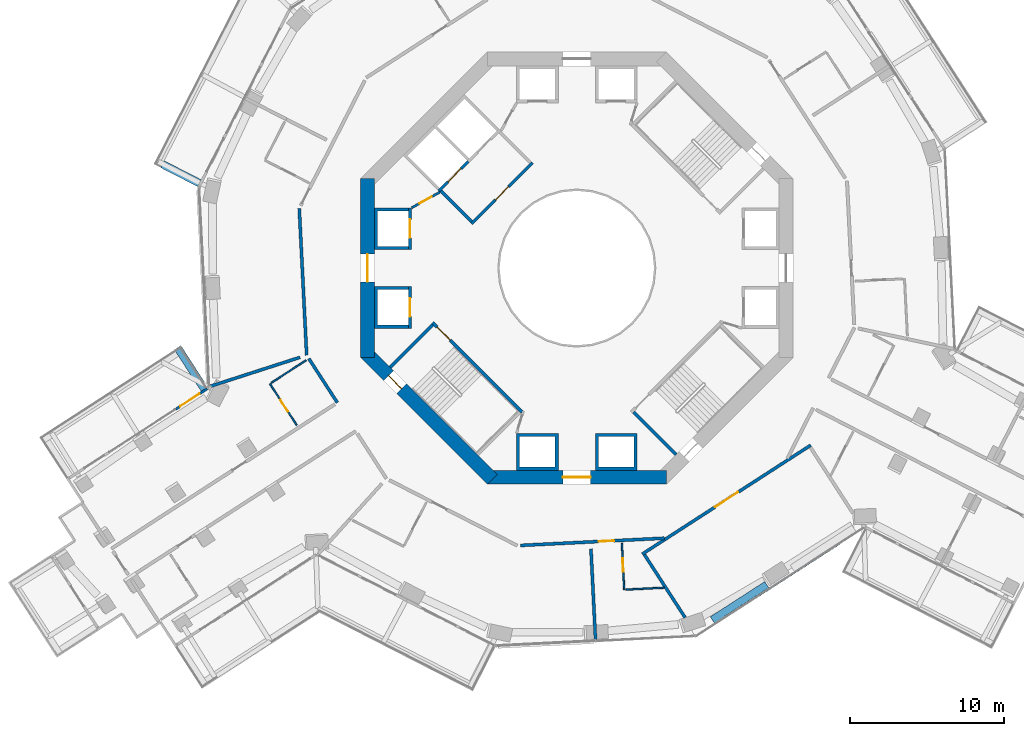
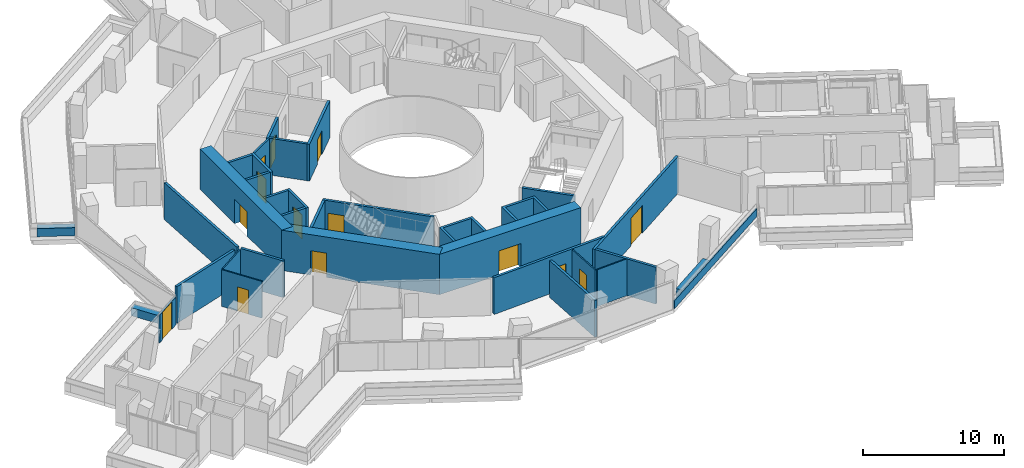
# One storey, part 18 of 25: 32 walls, 14 doors, 14 openings.
"""IFC4 building model written with IfcOpenShell, lengths in metres."""

from ifc_helpers import new_model, si_unit, direction, frame, frame_2d, origin, place, context, subcontext, project, spatial, polyline, rectangle, outline, extrude, material, layer, layer_set, type_object, element, fill, save


model = new_model("IFC4")

# Units and contexts
model_context = context("Model", 3, precision=1e-05, world=origin(), true_north=direction((0.0, 1.0)))
body_context = subcontext(model_context, "Body", "Model", "MODEL_VIEW")
ifc_project = project(units=[si_unit("LENGTHUNIT", "METRE"), si_unit("AREAUNIT", "SQUARE_METRE"), si_unit("VOLUMEUNIT", "CUBIC_METRE"), si_unit("PLANEANGLEUNIT", "RADIAN"), si_unit("MASSUNIT", "GRAM", prefix="KILO")], contexts=[model_context])

# Site, building, storey
site_placement = place(None, origin())
site = spatial("IfcSite", under=ifc_project, at=site_placement, CompositionType="ELEMENT")
building_placement = place(site_placement, origin())
building = spatial("IfcBuilding", under=site, at=building_placement, Name="Verdalira Terraces Hotel", CompositionType="ELEMENT")
storey_placement = place(building_placement, frame((0.0, 0.0, 46.0)))
storey = spatial("IfcBuildingStorey", under=building, at=storey_placement, Name="L09", CompositionType="ELEMENT", Elevation=46.0)

# Walls
ifc_material_1 = material(Name="Concrete C40", Category="concrete")
ifc_layer_1 = layer(ifc_material_1, 0.5)
ifc_layer_set_1 = layer_set([ifc_layer_1], Name="Balcony planter trough with tree")
wall_type_1 = type_object("IfcWallType", Name="Balcony planter trough with tree", PredefinedType="SOLIDWALL", material=ifc_layer_set_1)
wall_1_placement = place(storey_placement, frame((-26.843506, 6.726318, 0.0), z_axis=(0.0, 0.0, 1.0), x_axis=(0.890043365, -0.45587587, 0.0)))
element("IfcWall", 1, at=wall_1_placement, inside=storey, type_object=wall_type_1, Name="Balcony planter", PredefinedType="SOLIDWALL", context=body_context, shape_type="SweptSolid", body=[
    extrude(rectangle(XDim=2.699219, YDim=0.5, at=frame_2d((1.349609, 0.0))), origin(), (0.0, 0.0, 1.0), 0.699951),
])
wall_2_placement = place(storey_placement, frame((-24.111572, -7.845459, 0.0), z_axis=(0.0, 0.0, 1.0), x_axis=(-0.542915814, 0.839787127, 0.0)))
element("IfcWall", 2, at=wall_2_placement, inside=storey, type_object=wall_type_1, Name="Balcony planter", PredefinedType="SOLIDWALL", context=body_context, shape_type="SweptSolid", body=[
    extrude(rectangle(XDim=3.198975, YDim=0.5, at=frame_2d((1.599609, 0.0))), origin(), (0.0, 0.0, 1.0), 0.699951),
])

# Wall, opening, door
ifc_material_2 = material(Name="Moisture-resistant gypsum board partition")
ifc_layer_2 = layer(ifc_material_2, 0.10009765625)
ifc_layer_set_2 = layer_set([ifc_layer_2], Name="Bathroom partition 100 mm")
wall_type_2 = type_object("IfcWallType", Name="Bathroom partition 100 mm", PredefinedType="PARTITIONING", material=ifc_layer_set_2)
wall_3_placement = place(storey_placement, frame((-19.875977, -7.490234, 0.0), z_axis=(0.0, 0.0, 1.0), x_axis=(0.542865261, -0.839819807, 0.0)))
wall_3 = element("IfcWall", 3, at=wall_3_placement, inside=storey, type_object=wall_type_2, Name="Bathroom partition", PredefinedType="PARTITIONING", context=body_context, shape_type="SweptSolid", body=[
    extrude(rectangle(XDim=3.199707, YDim=0.100098, at=frame_2d((1.599854, 0.0))), origin(), (0.0, 0.0, 1.0), 3.189941),
])
opening_1_placement = place(wall_3_placement, frame((1.25, 0.0, 0.0)))
opening_1 = element("IfcOpeningElement", 4, at=opening_1_placement, cuts=wall_3, Name="Opening L09-113", PredefinedType="OPENING", context=body_context, shape_type="SweptSolid", body=[
    extrude(rectangle(XDim=0.899902, YDim=2.100098, at=frame_2d((0.449951, 1.050049))), frame((0.0, 0.060059, 0.0), z_axis=(0.0, -1.0, 0.0), x_axis=(1.0, 0.0, 0.0)), (0.0, 0.0, 1.0), 0.120117),
])
ifc_material_3 = material(Name="Timber door", Category="wood")
door_type_1 = type_object("IfcDoorType", Name="Bathroom door 900 x 2100", OperationType="NOTDEFINED", PredefinedType="DOOR", material=ifc_material_3)
door_1_placement = place(opening_1_placement, origin())
door_1 = element("IfcDoor", 5, at=door_1_placement, inside=storey, type_object=door_type_1, Name="Bathroom door 0906", OperationType="SINGLE_SWING_LEFT", OverallHeight=2.10009765625, OverallWidth=0.89990234375, PredefinedType="DOOR", context=body_context, shape_type="SweptSolid", body=[
    extrude(rectangle(XDim=0.899902, YDim=2.100098, at=frame_2d((0.449951, 1.050049))), frame((0.0, 0.024902, 0.0), z_axis=(0.0, -1.0, 0.0), x_axis=(1.0, 0.0, 0.0)), (0.0, 0.0, 1.0), 0.050049),
])
fill(opening_1, door_1)

# Wall
wall_4_placement = place(storey_placement, frame((-19.791992, -7.435791, 0.0), z_axis=(0.0, 0.0, 1.0), x_axis=(0.839853884, 0.54281254, 0.0)))
element("IfcWall", 6, at=wall_4_placement, inside=storey, type_object=wall_type_2, Name="Bathroom partition", PredefinedType="PARTITIONING", context=body_context, shape_type="SweptSolid", body=[
    extrude(rectangle(XDim=2.699951, YDim=0.100098, at=frame_2d((1.350098, 0.0))), origin(), (0.0, 0.0, 1.0), 3.189941),
])

# Wall, opening, door
wall_5_placement = place(storey_placement, frame((2.918213, -17.834229, 0.0), z_axis=(0.0, 0.0, 1.0), x_axis=(0.050213629, -0.9987385, 0.0)))
wall_5 = element("IfcWall", 7, at=wall_5_placement, inside=storey, type_object=wall_type_2, Name="Bathroom partition", PredefinedType="PARTITIONING", context=body_context, shape_type="SweptSolid", body=[
    extrude(rectangle(XDim=3.0, YDim=0.100098, at=frame_2d((1.5, 0.0))), origin(), (0.0, 0.0, 1.0), 3.189941),
])
opening_2_placement = place(wall_5_placement, frame((0.949951, 0.0, 0.0)))
opening_2 = element("IfcOpeningElement", 8, at=opening_2_placement, cuts=wall_5, Name="Opening L09-120", PredefinedType="OPENING", context=body_context, shape_type="SweptSolid", body=[
    extrude(rectangle(XDim=0.899902, YDim=2.100098, at=frame_2d((0.449951, 1.050049))), frame((0.0, 0.060059, 0.0), z_axis=(0.0, -1.0, 0.0), x_axis=(1.0, 0.0, 0.0)), (0.0, 0.0, 1.0), 0.120117),
])
door_2_placement = place(opening_2_placement, origin())
door_2 = element("IfcDoor", 9, at=door_2_placement, inside=storey, type_object=door_type_1, Name="Bathroom door 0910", OperationType="SINGLE_SWING_RIGHT", OverallHeight=2.10009765625, OverallWidth=0.89990234375, PredefinedType="DOOR", context=body_context, shape_type="SweptSolid", body=[
    extrude(rectangle(XDim=0.899902, YDim=2.100098, at=frame_2d((0.449951, 1.050049))), frame((0.0, 0.024902, 0.0), z_axis=(0.0, -1.0, 0.0), x_axis=(1.0, 0.0, 0.0)), (0.0, 0.0, 1.0), 0.050049),
])
fill(opening_2, door_2)

# Walls
wall_6_placement = place(storey_placement, frame((5.662109, -20.699951, 0.0), z_axis=(0.0, 0.0, 1.0), x_axis=(-0.998735946, -0.050264396, 0.0)))
element("IfcWall", 10, at=wall_6_placement, inside=storey, type_object=wall_type_2, Name="Bathroom partition", PredefinedType="PARTITIONING", context=body_context, shape_type="SweptSolid", body=[
    extrude(rectangle(XDim=2.496582, YDim=0.100098, at=frame_2d((1.248291, 0.0))), origin(), (0.0, 0.0, 1.0), 3.189941),
])
ifc_material_4 = material(Name="Concrete C50", Category="concrete")
ifc_layer_3 = layer(ifc_material_4, 0.199951171875)
ifc_layer_set_3 = layer_set([ifc_layer_3], Name="Core RC wall 200 C50")
wall_type_3 = type_object("IfcWallType", Name="Core RC wall 200 C50", PredefinedType="SOLIDWALL", material=ifc_layer_set_3)
wall_7_placement = place(storey_placement, origin())
element("IfcWall", 11, at=wall_7_placement, inside=storey, type_object=wall_type_3, Name="L09 shaft wall W1", PredefinedType="SOLIDWALL", context=body_context, shape_type="SweptSolid", body=[
    extrude(outline(polyline([(-13.100098, 3.899902), (-10.899902, 3.899902), (-10.899902, 3.699951), (-12.899902, 3.699951), (-12.899902, 1.399902), (-10.899902, 1.399902), (-10.899902, 1.199951), (-13.100098, 1.199951), (-13.100098, 3.899902)])), origin(), (0.0, 0.0, 1.0), 3.189941),
])

# Wall, opening, door
wall_8_placement = place(storey_placement, frame((-10.800049, 1.199951, 0.0), z_axis=(0.0, 0.0, 1.0), x_axis=(0.0, 1.0, 0.0)))
wall_8 = element("IfcWall", 12, at=wall_8_placement, inside=storey, type_object=wall_type_3, Name="L09 shaft front wall W1", PredefinedType="SOLIDWALL", context=body_context, shape_type="SweptSolid", body=[
    extrude(rectangle(XDim=2.699951, YDim=0.199951, at=frame_2d((1.350098, 0.0))), origin(), (0.0, 0.0, 1.0), 3.189941),
])
opening_3_placement = place(wall_8_placement, frame((0.75, 0.0, 0.0)))
opening_3 = element("IfcOpeningElement", 13, at=opening_3_placement, cuts=wall_8, Name="Opening LD-L09-805", PredefinedType="OPENING", context=body_context, shape_type="SweptSolid", body=[
    extrude(rectangle(XDim=1.199951, YDim=2.100098, at=frame_2d((0.600098, 1.050049))), frame((0.0, 0.109863, 0.0), z_axis=(0.0, -1.0, 0.0), x_axis=(1.0, 0.0, 0.0)), (0.0, 0.0, 1.0), 0.219971),
])
ifc_material_5 = material(Name="Stainless steel", Category="steel")
door_type_2 = type_object("IfcDoorType", Name="Landing door 1200 x 2100", OperationType="NOTDEFINED", PredefinedType="DOOR", material=ifc_material_5)
door_3_placement = place(opening_3_placement, origin())
door_3 = element("IfcDoor", 14, at=door_3_placement, inside=storey, type_object=door_type_2, Name="Lift landing door LR5 L09", OperationType="DOUBLE_DOOR_SLIDING", OverallHeight=2.10009765625, OverallWidth=1.199951171875, PredefinedType="DOOR", context=body_context, shape_type="SweptSolid", body=[
    extrude(rectangle(XDim=1.199951, YDim=2.100098, at=frame_2d((0.600098, 1.050049))), frame((0.0, 0.024902, 0.0), z_axis=(0.0, -1.0, 0.0), x_axis=(1.0, 0.0, 0.0)), (0.0, 0.0, 1.0), 0.050049),
])
fill(opening_3, door_3)

# Wall
wall_9_placement = place(storey_placement, origin())
element("IfcWall", 15, at=wall_9_placement, inside=storey, type_object=wall_type_3, Name="L09 shaft wall W2", PredefinedType="SOLIDWALL", context=body_context, shape_type="SweptSolid", body=[
    extrude(outline(polyline([(-13.100098, -3.899902), (-13.100098, -1.199951), (-10.899902, -1.199951), (-10.899902, -1.399902), (-12.899902, -1.399902), (-12.899902, -3.699951), (-10.899902, -3.699951), (-10.899902, -3.899902), (-13.100098, -3.899902)])), origin(), (0.0, 0.0, 1.0), 3.189941),
])

# Wall, opening, door
wall_10_placement = place(storey_placement, frame((-10.800049, -1.199951, 0.0), z_axis=(0.0, 0.0, 1.0), x_axis=(0.0, -1.0, 0.0)))
wall_10 = element("IfcWall", 16, at=wall_10_placement, inside=storey, type_object=wall_type_3, Name="L09 shaft front wall W2", PredefinedType="SOLIDWALL", context=body_context, shape_type="SweptSolid", body=[
    extrude(rectangle(XDim=2.699951, YDim=0.199951, at=frame_2d((1.350098, 0.0))), origin(), (0.0, 0.0, 1.0), 3.189941),
])
opening_4_placement = place(wall_10_placement, frame((0.75, 0.0, 0.0)))
opening_4 = element("IfcOpeningElement", 17, at=opening_4_placement, cuts=wall_10, Name="Opening LD-L09-806", PredefinedType="OPENING", context=body_context, shape_type="SweptSolid", body=[
    extrude(rectangle(XDim=1.199951, YDim=2.100098, at=frame_2d((0.600098, 1.050049))), frame((0.0, 0.109863, 0.0), z_axis=(0.0, -1.0, 0.0), x_axis=(1.0, 0.0, 0.0)), (0.0, 0.0, 1.0), 0.219971),
])
door_4_placement = place(opening_4_placement, origin())
door_4 = element("IfcDoor", 18, at=door_4_placement, inside=storey, type_object=door_type_2, Name="Lift landing door LR6 L09", OperationType="DOUBLE_DOOR_SLIDING", OverallHeight=2.10009765625, OverallWidth=1.199951171875, PredefinedType="DOOR", context=body_context, shape_type="SweptSolid", body=[
    extrude(rectangle(XDim=1.199951, YDim=2.100098, at=frame_2d((0.600098, 1.050049))), frame((0.0, 0.024902, 0.0), z_axis=(0.0, -1.0, 0.0), x_axis=(1.0, 0.0, 0.0)), (0.0, 0.0, 1.0), 0.050049),
])
fill(opening_4, door_4)

# Walls
wall_11_placement = place(storey_placement, origin())
element("IfcWall", 19, at=wall_11_placement, inside=storey, type_object=wall_type_3, Name="L09 shaft wall S1", PredefinedType="SOLIDWALL", context=body_context, shape_type="SweptSolid", body=[
    extrude(outline(polyline([(-1.199951, -13.100098), (-3.899902, -13.100098), (-3.899902, -10.699951), (-1.199951, -10.699951), (-1.199951, -13.100098)]), holes=[polyline([(-3.699951, -10.899902), (-3.699951, -12.899902), (-1.399902, -12.899902), (-1.399902, -10.899902), (-3.699951, -10.899902)])]), origin(), (0.0, 0.0, 1.0), 3.189941),
])
wall_12_placement = place(storey_placement, origin())
element("IfcWall", 20, at=wall_12_placement, inside=storey, type_object=wall_type_3, Name="L09 shaft wall S2", PredefinedType="SOLIDWALL", context=body_context, shape_type="SweptSolid", body=[
    extrude(outline(polyline([(3.899902, -10.699951), (3.899902, -13.100098), (1.199951, -13.100098), (1.199951, -10.699951), (3.899902, -10.699951)]), holes=[polyline([(1.399902, -12.899902), (3.699951, -12.899902), (3.699951, -10.899902), (1.399902, -10.899902), (1.399902, -12.899902)])]), origin(), (0.0, 0.0, 1.0), 3.189941),
])

# Wall, opening, door
wall_13_placement = place(storey_placement, frame((-7.035645, 6.894287, 0.0), z_axis=(0.0, 0.0, 1.0), x_axis=(-0.707106781, -0.707106781, 0.0)))
wall_13 = element("IfcWall", 21, at=wall_13_placement, inside=storey, type_object=wall_type_3, Name="L09 shaft front wall F2", PredefinedType="SOLIDWALL", context=body_context, shape_type="SweptSolid", body=[
    extrude(rectangle(XDim=2.699951, YDim=0.199951, at=frame_2d((1.350098, 0.0))), origin(), (0.0, 0.0, 1.0), 3.189941),
])
opening_5_placement = place(wall_13_placement, frame((0.649902, 0.0, 0.0)))
opening_5 = element("IfcOpeningElement", 22, at=opening_5_placement, cuts=wall_13, Name="Opening LD-L09-808", PredefinedType="OPENING", context=body_context, shape_type="SweptSolid", body=[
    extrude(rectangle(XDim=1.199951, YDim=2.100098, at=frame_2d((0.600098, 1.050049))), frame((0.0, 0.109863, 0.0), z_axis=(0.0, -1.0, 0.0), x_axis=(1.0, 0.0, 0.0)), (0.0, 0.0, 1.0), 0.219971),
])
door_5_placement = place(opening_5_placement, origin())
door_5 = element("IfcDoor", 23, at=door_5_placement, inside=storey, type_object=door_type_2, Name="Lift landing door LF12 L09", OperationType="DOUBLE_DOOR_SLIDING", OverallHeight=2.10009765625, OverallWidth=1.199951171875, PredefinedType="DOOR", context=body_context, shape_type="SweptSolid", body=[
    extrude(rectangle(XDim=1.199951, YDim=2.100098, at=frame_2d((0.600098, 1.050049))), frame((0.0, 0.024902, 0.0), z_axis=(0.0, -1.0, 0.0), x_axis=(1.0, 0.0, 0.0)), (0.0, 0.0, 1.0), 0.050049),
])
fill(opening_5, door_5)

wall_14_placement = place(storey_placement, frame((-3.5354, -9.33374, 0.0), z_axis=(0.0, 0.0, 1.0), x_axis=(-0.707106781, 0.707106781, 0.0)))
wall_14 = element("IfcWall", 24, at=wall_14_placement, inside=storey, type_object=wall_type_3, Name="L09 stair ST2 front wall", PredefinedType="SOLIDWALL", context=body_context, shape_type="SweptSolid", body=[
    extrude(rectangle(XDim=8.200195, YDim=0.199951, at=frame_2d((4.100098, 0.0))), origin(), (0.0, 0.0, 1.0), 3.189941),
])
opening_6_placement = place(wall_14_placement, frame((6.600098, 0.0, 0.0)))
opening_6 = element("IfcOpeningElement", 25, at=opening_6_placement, cuts=wall_14, Name="Opening L09-810", PredefinedType="OPENING", context=body_context, shape_type="SweptSolid", body=[
    extrude(rectangle(XDim=1.199951, YDim=2.100098, at=frame_2d((0.600098, 1.050049))), frame((0.0, 0.109863, 0.0), z_axis=(0.0, -1.0, 0.0), x_axis=(1.0, 0.0, 0.0)), (0.0, 0.0, 1.0), 0.219971),
])
ifc_material_6 = material(Name="Steel fire door", Category="steel")
door_type_3 = type_object("IfcDoorType", Name="Stair door 1200 x 2100", OperationType="NOTDEFINED", PredefinedType="DOOR", material=ifc_material_6)
door_6_placement = place(opening_6_placement, origin())
door_6 = element("IfcDoor", 26, at=door_6_placement, inside=storey, type_object=door_type_3, Name="Stair door ST2 L09", OperationType="SINGLE_SWING_RIGHT", OverallHeight=2.10009765625, OverallWidth=1.199951171875, PredefinedType="DOOR", context=body_context, shape_type="SweptSolid", body=[
    extrude(rectangle(XDim=1.199951, YDim=2.100098, at=frame_2d((0.600098, 1.050049))), frame((0.0, 0.024902, 0.0), z_axis=(0.0, -1.0, 0.0), x_axis=(1.0, 0.0, 0.0)), (0.0, 0.0, 1.0), 0.050049),
])
fill(opening_6, door_6)

# Walls
for number, where, z_axis, x_axis, name in (
    (27, (-9.33374, -3.677002, 0.0), (0.0, 0.0, 1.0), (-0.707106781, -0.707106781, 0.0), "L09 stair ST2 end wall 1"),
    (28, (3.677002, -9.33374, 0.0), (0.0, 0.0, 1.0), (0.707106781, -0.707106781, 0.0), "L09 stair ST3 end wall 1"),
):
    element("IfcWall", number, at=place(storey_placement, frame(where, z_axis=z_axis, x_axis=x_axis)), inside=storey, type_object=wall_type_3, Name=name, PredefinedType="SOLIDWALL", context=body_context, shape_type="SweptSolid", body=[
        extrude(rectangle(XDim=3.900146, YDim=0.199951, at=frame_2d((1.950195, 0.0))), origin(), (0.0, 0.0, 1.0), 3.189941),
    ])

# Wall, opening, door
wall_15_placement = place(storey_placement, frame((-2.86377, 6.823486, 0.0), z_axis=(0.0, 0.0, 1.0), x_axis=(-0.707106781, -0.707106781, 0.0)))
wall_15 = element("IfcWall", 29, at=wall_15_placement, inside=storey, type_object=wall_type_3, Name="L09 fire lobby wall", PredefinedType="SOLIDWALL", context=body_context, shape_type="SweptSolid", body=[
    extrude(rectangle(XDim=5.599854, YDim=0.199951, at=frame_2d((2.799805, 0.0))), origin(), (0.0, 0.0, 1.0), 3.189941),
])
opening_7_placement = place(wall_15_placement, frame((2.199951, 0.0, 0.0)))
opening_7 = element("IfcOpeningElement", 30, at=opening_7_placement, cuts=wall_15, Name="Opening L09-819", PredefinedType="OPENING", context=body_context, shape_type="SweptSolid", body=[
    extrude(rectangle(XDim=1.199951, YDim=2.100098, at=frame_2d((0.600098, 1.050049))), frame((0.0, 0.109863, 0.0), z_axis=(0.0, -1.0, 0.0), x_axis=(1.0, 0.0, 0.0)), (0.0, 0.0, 1.0), 0.219971),
])
ifc_material_7 = material(Name="Steel fire door", Category="steel")
door_type_4 = type_object("IfcDoorType", Name="Lobby door 1200 x 2100", OperationType="NOTDEFINED", PredefinedType="DOOR", material=ifc_material_7)
door_7_placement = place(opening_7_placement, origin())
door_7 = element("IfcDoor", 31, at=door_7_placement, inside=storey, type_object=door_type_4, Name="Fire lobby door L09", OperationType="SINGLE_SWING_LEFT", OverallHeight=2.10009765625, OverallWidth=1.199951171875, PredefinedType="DOOR", context=body_context, shape_type="SweptSolid", body=[
    extrude(rectangle(XDim=1.199951, YDim=2.100098, at=frame_2d((0.600098, 1.050049))), frame((0.0, 0.024902, 0.0), z_axis=(0.0, -1.0, 0.0), x_axis=(1.0, 0.0, 0.0)), (0.0, 0.0, 1.0), 0.050049),
])
fill(opening_7, door_7)

# Wall
wall_16_placement = place(storey_placement, frame((-6.823486, 3.005127, 0.0), z_axis=(0.0, 0.0, 1.0), x_axis=(-0.707106781, 0.707106781, 0.0)))
element("IfcWall", 32, at=wall_16_placement, inside=storey, type_object=wall_type_3, Name="L09 fire lobby wall", PredefinedType="SOLIDWALL", context=body_context, shape_type="SweptSolid", body=[
    extrude(rectangle(XDim=2.800049, YDim=0.199951, at=frame_2d((1.399902, 0.0))), origin(), (0.0, 0.0, 1.0), 3.189941),
])

# Wall, opening, door
ifc_material_8 = material(Name="Gypsum board partition")
ifc_layer_4 = layer(ifc_material_8, 0.14990234375)
ifc_layer_set_4 = layer_set([ifc_layer_4], Name="Core partition 150 mm")
wall_type_4 = type_object("IfcWallType", Name="Core partition 150 mm", PredefinedType="PARTITIONING", material=ifc_layer_set_4)
wall_17_placement = place(storey_placement, frame((-8.874268, 4.914307, 0.0), z_axis=(0.0, 0.0, 1.0), x_axis=(-0.874129705, -0.485692555, 0.0)))
wall_17 = element("IfcWall", 33, at=wall_17_placement, inside=storey, type_object=wall_type_4, Name="Room partition L09", PredefinedType="PARTITIONING", context=body_context, shape_type="SweptSolid", body=[
    extrude(rectangle(XDim=2.088623, YDim=0.149902, at=frame_2d((1.044434, 0.0))), origin(), (0.0, 0.0, 1.0), 3.189941),
])
opening_8_placement = place(wall_17_placement, frame((0.594238, 0.0, 0.0)))
opening_8 = element("IfcOpeningElement", 34, at=opening_8_placement, cuts=wall_17, Name="Opening L09-822", PredefinedType="OPENING", context=body_context, shape_type="SweptSolid", body=[
    extrude(rectangle(XDim=0.899902, YDim=2.100098, at=frame_2d((0.449951, 1.050049))), frame((0.0, 0.084961, 0.0), z_axis=(0.0, -1.0, 0.0), x_axis=(1.0, 0.0, 0.0)), (0.0, 0.0, 1.0), 0.169922),
])
ifc_material_9 = material(Name="Steel fire door", Category="steel")
door_type_5 = type_object("IfcDoorType", Name="Core room door 900 x 2100", OperationType="NOTDEFINED", PredefinedType="DOOR", material=ifc_material_9)
door_8_placement = place(opening_8_placement, origin())
door_8 = element("IfcDoor", 35, at=door_8_placement, inside=storey, type_object=door_type_5, Name="Door L09 room3", OperationType="SINGLE_SWING_LEFT", OverallHeight=2.10009765625, OverallWidth=0.89990234375, PredefinedType="DOOR", context=body_context, shape_type="SweptSolid", body=[
    extrude(rectangle(XDim=0.899902, YDim=2.100098, at=frame_2d((0.449951, 1.050049))), frame((0.0, 0.024902, 0.0), z_axis=(0.0, -1.0, 0.0), x_axis=(1.0, 0.0, 0.0)), (0.0, 0.0, 1.0), 0.050049),
])
fill(opening_8, door_8)

ifc_material_10 = material(Name="Concrete C70", Category="concrete")
ifc_layer_5 = layer(ifc_material_10, 0.89990234375)
ifc_layer_set_5 = layer_set([ifc_layer_5], Name="Core wall 900 C70")
wall_type_5 = type_object("IfcWallType", Name="Core wall 900 C70", PredefinedType="SHEAR", material=ifc_layer_set_5)
wall_18_placement = place(storey_placement, frame((-13.550049, 5.799072, 0.0), z_axis=(0.0, 0.0, 1.0), x_axis=(0.0, -1.0, 0.0)))
wall_18 = element("IfcWall", 36, at=wall_18_placement, inside=storey, type_object=wall_type_5, Name="Core wall CW-L09-5", PredefinedType="SHEAR", context=body_context, shape_type="SweptSolid", body=[
    extrude(rectangle(XDim=11.598145, YDim=0.899902, at=frame_2d((5.799072, 0.0))), origin(), (0.0, 0.0, 1.0), 3.5),
])
opening_9_placement = place(wall_18_placement, frame((4.898926, 0.0, 0.0)))
opening_9 = element("IfcOpeningElement", 37, at=opening_9_placement, cuts=wall_18, Name="Opening L09-814", PredefinedType="OPENING", context=body_context, shape_type="SweptSolid", body=[
    extrude(rectangle(XDim=1.800049, YDim=2.100098, at=frame_2d((0.899902, 1.050049))), frame((0.0, 0.459961, 0.0), z_axis=(0.0, -1.0, 0.0), x_axis=(1.0, 0.0, 0.0)), (0.0, 0.0, 1.0), 0.919922),
])
ifc_material_11 = material(Name="Steel fire door", Category="steel")
door_type_6 = type_object("IfcDoorType", Name="Core entry door pair 1800 x 2100", OperationType="NOTDEFINED", PredefinedType="DOOR", material=ifc_material_11)
door_9_placement = place(opening_9_placement, origin())
door_9 = element("IfcDoor", 38, at=door_9_placement, inside=storey, type_object=door_type_6, Name="Core entry door L09 4", OperationType="DOUBLE_DOOR_SINGLE_SWING", OverallHeight=2.10009765625, OverallWidth=1.800048828125, PredefinedType="DOOR", context=body_context, shape_type="SweptSolid", body=[
    extrude(rectangle(XDim=1.800049, YDim=2.100098, at=frame_2d((0.899902, 1.050049))), frame((0.0, 0.024902, 0.0), z_axis=(0.0, -1.0, 0.0), x_axis=(1.0, 0.0, 0.0)), (0.0, 0.0, 1.0), 0.050049),
])
fill(opening_9, door_9)

wall_19_placement = place(storey_placement, frame((-13.681885, -5.480713, 0.0), z_axis=(0.0, 0.0, 1.0), x_axis=(0.707106781, -0.707106781, 0.0)))
wall_19 = element("IfcWall", 39, at=wall_19_placement, inside=storey, type_object=wall_type_5, Name="Core wall CW-L09-6", PredefinedType="SHEAR", context=body_context, shape_type="SweptSolid", body=[
    extrude(rectangle(XDim=11.598145, YDim=0.899902, at=frame_2d((5.799072, 0.0))), origin(), (0.0, 0.0, 1.0), 3.5),
])
opening_10_placement = place(wall_19_placement, frame((2.099121, 0.0, 0.0)))
opening_10 = element("IfcOpeningElement", 40, at=opening_10_placement, cuts=wall_19, Name="Opening L09-817", PredefinedType="OPENING", context=body_context, shape_type="SweptSolid", body=[
    extrude(rectangle(XDim=1.199951, YDim=2.100098, at=frame_2d((0.600098, 1.050049))), frame((0.0, 0.459961, 0.0), z_axis=(0.0, -1.0, 0.0), x_axis=(1.0, 0.0, 0.0)), (0.0, 0.0, 1.0), 0.919922),
])
door_10_placement = place(opening_10_placement, origin())
door_10 = element("IfcDoor", 41, at=door_10_placement, inside=storey, type_object=door_type_3, Name="Stair exit door ST2 L09", OperationType="SINGLE_SWING_LEFT", OverallHeight=2.10009765625, OverallWidth=1.199951171875, PredefinedType="DOOR", context=body_context, shape_type="SweptSolid", body=[
    extrude(rectangle(XDim=1.199951, YDim=2.100098, at=frame_2d((0.600098, 1.050049))), frame((0.0, 0.024902, 0.0), z_axis=(0.0, -1.0, 0.0), x_axis=(1.0, 0.0, 0.0)), (0.0, 0.0, 1.0), 0.050049),
])
fill(opening_10, door_10)

wall_20_placement = place(storey_placement, frame((-5.799072, -13.550049, 0.0), z_axis=(0.0, 0.0, 1.0), x_axis=(1.0, 0.0, 0.0)))
wall_20 = element("IfcWall", 42, at=wall_20_placement, inside=storey, type_object=wall_type_5, Name="Core wall CW-L09-7", PredefinedType="SHEAR", context=body_context, shape_type="SweptSolid", body=[
    extrude(rectangle(XDim=11.598145, YDim=0.899902, at=frame_2d((5.799072, 0.0))), origin(), (0.0, 0.0, 1.0), 3.5),
])
opening_11_placement = place(wall_20_placement, frame((4.898926, 0.0, 0.0)))
opening_11 = element("IfcOpeningElement", 43, at=opening_11_placement, cuts=wall_20, Name="Opening L09-815", PredefinedType="OPENING", context=body_context, shape_type="SweptSolid", body=[
    extrude(rectangle(XDim=1.800049, YDim=2.100098, at=frame_2d((0.899902, 1.050049))), frame((0.0, 0.459961, 0.0), z_axis=(0.0, -1.0, 0.0), x_axis=(1.0, 0.0, 0.0)), (0.0, 0.0, 1.0), 0.919922),
])
door_11_placement = place(opening_11_placement, origin())
door_11 = element("IfcDoor", 44, at=door_11_placement, inside=storey, type_object=door_type_6, Name="Core entry door L09 6", OperationType="DOUBLE_DOOR_SINGLE_SWING", OverallHeight=2.10009765625, OverallWidth=1.800048828125, PredefinedType="DOOR", context=body_context, shape_type="SweptSolid", body=[
    extrude(rectangle(XDim=1.800049, YDim=2.100098, at=frame_2d((0.899902, 1.050049))), frame((0.0, 0.024902, 0.0), z_axis=(0.0, -1.0, 0.0), x_axis=(1.0, 0.0, 0.0)), (0.0, 0.0, 1.0), 0.050049),
])
fill(opening_11, door_11)

# Walls
ifc_material_12 = material(Name="Fire-rated gypsum board wall")
ifc_layer_6 = layer(ifc_material_12, 0.199951171875)
ifc_layer_set_6 = layer_set([ifc_layer_6], Name="Demising wall 200 mm")
wall_type_6 = type_object("IfcWallType", Name="Demising wall 200 mm", PredefinedType="SOLIDWALL", material=ifc_layer_set_6)
wall_21_placement = place(storey_placement, frame((-17.922607, -5.781982, 0.0), z_axis=(0.0, 0.0, 1.0), x_axis=(-0.95170449, -0.307015576, 0.0)))
element("IfcWall", 45, at=wall_21_placement, inside=storey, type_object=wall_type_6, Name="Demising wall", PredefinedType="SOLIDWALL", context=body_context, shape_type="SweptSolid", body=[
    extrude(rectangle(XDim=6.131836, YDim=0.199951, at=frame_2d((3.065918, 0.0))), origin(), (0.0, 0.0, 1.0), 3.189941),
])
wall_22_placement = place(storey_placement, frame((0.914795, -18.182617, 0.0), z_axis=(0.0, 0.0, 1.0), x_axis=(0.050211978, -0.998738583, 0.0)))
element("IfcWall", 46, at=wall_22_placement, inside=storey, type_object=wall_type_6, Name="Demising wall", PredefinedType="SOLIDWALL", context=body_context, shape_type="SweptSolid", body=[
    extrude(rectangle(XDim=5.902588, YDim=0.199951, at=frame_2d((2.951172, 0.0))), origin(), (0.0, 0.0, 1.0), 3.189941),
])
ifc_material_13 = material(Name="Fire-rated gypsum board wall")
ifc_layer_7 = layer(ifc_material_13, 0.199951171875)
ifc_layer_set_7 = layer_set([ifc_layer_7], Name="Guest corridor wall 200 mm")
wall_type_7 = type_object("IfcWallType", Name="Guest corridor wall 200 mm", PredefinedType="SOLIDWALL", material=ifc_layer_set_7)
wall_23_placement = place(storey_placement, frame((-17.975098, 3.859619, 0.0), z_axis=(0.0, 0.0, 1.0), x_axis=(0.050258786, -0.998736229, 0.0)))
element("IfcWall", 47, at=wall_23_placement, inside=storey, type_object=wall_type_7, Name="Guest corridor wall", PredefinedType="SOLIDWALL", context=body_context, shape_type="SweptSolid", body=[
    extrude(rectangle(XDim=9.516113, YDim=0.199951, at=frame_2d((4.758057, 0.0))), origin(), (0.0, 0.0, 1.0), 3.189941),
])
wall_24_placement = place(storey_placement, frame((-17.356689, -5.861572, 0.0), z_axis=(0.0, 0.0, 1.0), x_axis=(0.542929685, -0.83977816, 0.0)))
element("IfcWall", 48, at=wall_24_placement, inside=storey, type_object=wall_type_7, Name="Guest corridor wall", PredefinedType="SOLIDWALL", context=body_context, shape_type="SweptSolid", body=[
    extrude(rectangle(XDim=3.399902, YDim=0.199951, at=frame_2d((1.699951, 0.0))), origin(), (0.0, 0.0, 1.0), 3.189941),
])

# Wall, opening, door
wall_25_placement = place(storey_placement, frame((5.664551, -17.49585, 0.0), z_axis=(0.0, 0.0, 1.0), x_axis=(-0.998737492, -0.050233674, 0.0)))
wall_25 = element("IfcWall", 49, at=wall_25_placement, inside=storey, type_object=wall_type_7, Name="Guest corridor wall", PredefinedType="SOLIDWALL", context=body_context, shape_type="SweptSolid", body=[
    extrude(rectangle(XDim=9.336182, YDim=0.199951, at=frame_2d((4.667969, 0.0))), origin(), (0.0, 0.0, 1.0), 3.189941),
])
opening_12_placement = place(wall_25_placement, frame((3.26001, 0.0, 0.0)))
opening_12 = element("IfcOpeningElement", 50, at=opening_12_placement, cuts=wall_25, Name="Opening L09-119", PredefinedType="OPENING", context=body_context, shape_type="SweptSolid", body=[
    extrude(rectangle(XDim=1.0, YDim=2.100098, at=frame_2d((0.5, 1.050049))), frame((0.0, 0.109863, 0.0), z_axis=(0.0, -1.0, 0.0), x_axis=(1.0, 0.0, 0.0)), (0.0, 0.0, 1.0), 0.219971),
])
ifc_material_14 = material(Name="Timber fire door", Category="wood")
door_type_7 = type_object("IfcDoorType", Name="Guest entry door 1000 x 2100", OperationType="NOTDEFINED", PredefinedType="DOOR", material=ifc_material_14)
door_12_placement = place(opening_12_placement, origin())
door_12 = element("IfcDoor", 51, at=door_12_placement, inside=storey, type_object=door_type_7, Name="Guest entry door 0910", OperationType="SINGLE_SWING_RIGHT", OverallHeight=2.10009765625, OverallWidth=1.0, PredefinedType="DOOR", context=body_context, shape_type="SweptSolid", body=[
    extrude(rectangle(XDim=1.0, YDim=2.100098, at=frame_2d((0.5, 1.050049))), frame((0.0, 0.024902, 0.0), z_axis=(0.0, -1.0, 0.0), x_axis=(1.0, 0.0, 0.0)), (0.0, 0.0, 1.0), 0.050049),
])
fill(opening_12, door_12)

ifc_material_15 = material(Name="Terracotta cladding", Category="masonry")
ifc_layer_8 = layer(ifc_material_15, 0.199951171875)
ifc_layer_set_8 = layer_set([ifc_layer_8], Name="Loggia back wall 200")
wall_type_8 = type_object("IfcWallType", Name="Loggia back wall 200", PredefinedType="SOLIDWALL", material=ifc_layer_set_8)
wall_26_placement = place(storey_placement, frame((15.153809, -11.46875, 0.0), z_axis=(0.0, 0.0, 1.0), x_axis=(-0.839808395, -0.542882915, 0.0)))
wall_26 = element("IfcWall", 52, at=wall_26_placement, inside=storey, type_object=wall_type_8, Name="Loggia back wall", PredefinedType="SOLIDWALL", context=body_context, shape_type="SweptSolid", body=[
    extrude(rectangle(XDim=13.000244, YDim=0.199951, at=frame_2d((6.5, 0.0))), origin(), (0.0, 0.0, 1.0), 3.189941),
])
opening_13_placement = place(wall_26_placement, frame((5.600098, 0.0, 0.0)))
opening_13 = element("IfcOpeningElement", 53, at=opening_13_placement, cuts=wall_26, Name="Opening L09-L01", PredefinedType="OPENING", context=body_context, shape_type="SweptSolid", body=[
    extrude(rectangle(XDim=1.800049, YDim=2.399902, at=frame_2d((0.899902, 1.199951))), frame((0.0, 0.109863, 0.0), z_axis=(0.0, -1.0, 0.0), x_axis=(1.0, 0.0, 0.0)), (0.0, 0.0, 1.0), 0.219971),
])
ifc_material_16 = material(Name="Clear glass", Category="glass")
door_type_8 = type_object("IfcDoorType", Name="Garden double door 1800x2400", OperationType="NOTDEFINED", PredefinedType="DOOR", material=ifc_material_16)
door_13_placement = place(opening_13_placement, origin())
door_13 = element("IfcDoor", 54, at=door_13_placement, inside=storey, type_object=door_type_8, Name="Loggia double door", OperationType="DOUBLE_DOOR_SINGLE_SWING", OverallHeight=2.39990234375, OverallWidth=1.800048828125, PredefinedType="DOOR", context=body_context, shape_type="SweptSolid", body=[
    extrude(rectangle(XDim=1.800049, YDim=2.399902, at=frame_2d((0.899902, 1.199951))), frame((0.0, 0.024902, 0.0), z_axis=(0.0, -1.0, 0.0), x_axis=(1.0, 0.0, 0.0)), (0.0, 0.0, 1.0), 0.050049),
])
fill(opening_13, door_13)

# Walls
wall_27_placement = place(storey_placement, frame((7.013428, -22.638184, 0.0), z_axis=(0.0, 0.0, 1.0), x_axis=(-0.542880541, 0.83980993, 0.0)))
element("IfcWall", 55, at=wall_27_placement, inside=storey, type_object=wall_type_8, Name="Loggia side wall", PredefinedType="SOLIDWALL", context=body_context, shape_type="SweptSolid", body=[
    extrude(rectangle(XDim=4.86084, YDim=0.199951, at=frame_2d((2.43042, 0.0))), origin(), (0.0, 0.0, 1.0), 3.189941),
])
ifc_material_17 = material(Name="Concrete C40", Category="concrete")
ifc_layer_9 = layer(ifc_material_17, 0.5)
ifc_layer_set_9 = layer_set([ifc_layer_9], Name="Loggia planter trough with tree")
wall_type_9 = type_object("IfcWallType", Name="Loggia planter trough with tree", PredefinedType="SOLIDWALL", material=ifc_layer_set_9)
wall_28_placement = place(storey_placement, frame((8.779297, -22.793457, 0.0), z_axis=(0.0, 0.0, 1.0), x_axis=(0.839816404, 0.542870526, 0.0)))
element("IfcWall", 56, at=wall_28_placement, inside=storey, type_object=wall_type_9, Name="Loggia planter", PredefinedType="SOLIDWALL", context=body_context, shape_type="SweptSolid", body=[
    extrude(rectangle(XDim=4.201416, YDim=0.5, at=frame_2d((2.100586, 0.0))), origin(), (0.0, 0.0, 1.0), 0.699951),
])
ifc_material_18 = material(Name="Concrete C40", Category="concrete")
ifc_layer_10 = layer(ifc_material_18, 0.10009765625)
ifc_layer_set_10 = layer_set([ifc_layer_10], Name="Loggia upstand 100")
wall_type_10 = type_object("IfcWallType", Name="Loggia upstand 100", PredefinedType="SOLIDWALL", material=ifc_layer_set_10)
wall_29_placement = place(storey_placement, frame((7.750732, -23.815674, 0.0), z_axis=(0.0, 0.0, 1.0), x_axis=(0.839806778, 0.542885417, 0.0)))
element("IfcWall", 57, at=wall_29_placement, inside=storey, type_object=wall_type_10, Name="Loggia upstand", PredefinedType="SOLIDWALL", context=body_context, shape_type="SweptSolid", body=[
    extrude(rectangle(XDim=12.840088, YDim=0.100098, at=frame_2d((6.419922, 0.0))), origin(), (0.0, 0.0, 1.0), 0.699951),
])

# Wall, opening, door
ifc_material_19 = material(Name="Terracotta cladding", Category="masonry")
ifc_layer_11 = layer(ifc_material_19, 0.14990234375)
ifc_layer_set_11 = layer_set([ifc_layer_11], Name="Terracotta door pier 150")
wall_type_11 = type_object("IfcWallType", Name="Terracotta door pier 150", PredefinedType="SOLIDWALL", material=ifc_layer_set_11)
wall_30_placement = place(storey_placement, frame((-23.919189, -7.811523, 0.0), z_axis=(0.0, 0.0, 1.0), x_axis=(-0.839774302, -0.542935651, 0.0)))
wall_30 = element("IfcWall", 58, at=wall_30_placement, inside=storey, type_object=wall_type_11, Name="Terracotta door pier", PredefinedType="SOLIDWALL", context=body_context, shape_type="SweptSolid", body=[
    extrude(rectangle(XDim=2.501953, YDim=0.149902, at=frame_2d((1.250977, 0.0))), origin(), (0.0, 0.0, 1.0), 2.425049),
])
opening_14_placement = place(wall_30_placement, frame((0.601807, 0.0, 0.0)))
opening_14 = element("IfcOpeningElement", 59, at=opening_14_placement, cuts=wall_30, Name="Opening L09-B05", PredefinedType="OPENING", context=body_context, shape_type="SweptSolid", body=[
    extrude(rectangle(XDim=1.5, YDim=2.399902, at=frame_2d((0.75, 1.199951))), frame((0.0, 0.084961, 0.0), z_axis=(0.0, -1.0, 0.0), x_axis=(1.0, 0.0, 0.0)), (0.0, 0.0, 1.0), 0.169922),
])
ifc_material_20 = material(Name="Clear glass", Category="glass")
door_type_9 = type_object("IfcDoorType", Name="Balcony sliding door 1500x2400", OperationType="NOTDEFINED", PredefinedType="DOOR", material=ifc_material_20)
door_14_placement = place(opening_14_placement, origin())
door_14 = element("IfcDoor", 60, at=door_14_placement, inside=storey, type_object=door_type_9, Name="Balcony sliding door", OperationType="SLIDING_TO_LEFT", OverallHeight=2.39990234375, OverallWidth=1.5, PredefinedType="DOOR", context=body_context, shape_type="SweptSolid", body=[
    extrude(rectangle(XDim=1.5, YDim=2.399902, at=frame_2d((0.75, 1.199951))), frame((0.0, 0.024902, 0.0), z_axis=(0.0, -1.0, 0.0), x_axis=(1.0, 0.0, 0.0)), (0.0, 0.0, 1.0), 0.050049),
])
fill(opening_14, door_14)

save(model, "model.ifc")
